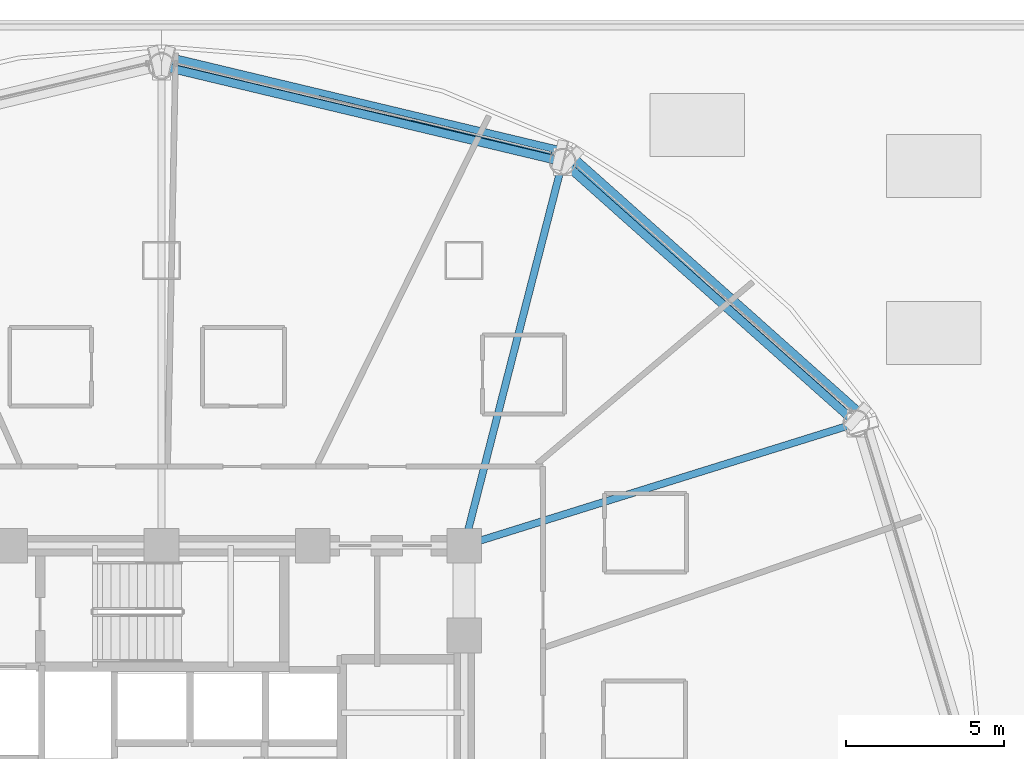
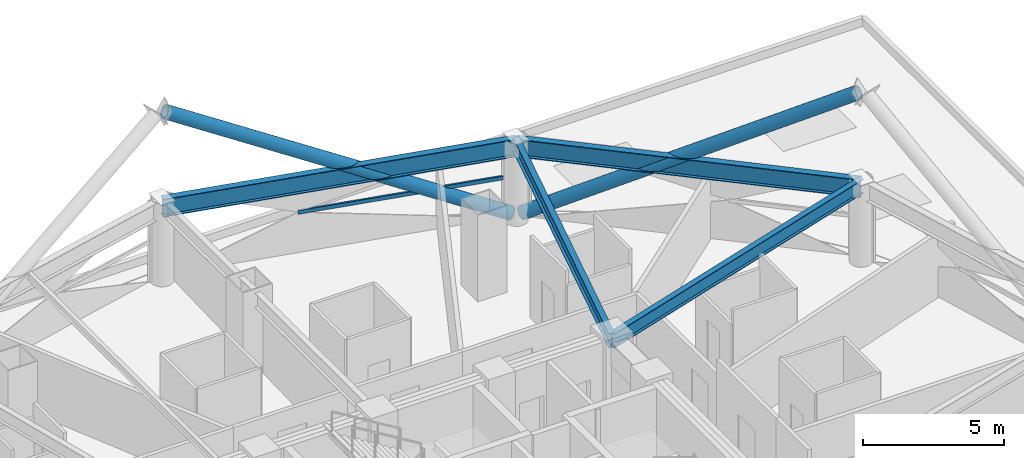
# One storey, part 15 of 27: 4 beams, 3 members, 1 element without a shape of its own.
"""IFC4 building model written with IfcOpenShell, lengths in metres."""

from ifc_helpers import new_model, si_unit, direction, frame, origin, origin_2d, place, context, subcontext, project, spatial, hollow_rectangle, hollow_circle, i_section, extrude, material, layer, layer_set, material_profile, profile_set, type_object, element, aggregate, save


model = new_model("IFC4")

# Units and contexts
model_context = context("Model", 3, precision=1e-05, world=origin(), true_north=direction((0.0, 1.0)))
body_context = subcontext(model_context, "Body", "Model", "MODEL_VIEW")
ifc_project = project(units=[si_unit("LENGTHUNIT", "METRE"), si_unit("AREAUNIT", "SQUARE_METRE"), si_unit("VOLUMEUNIT", "CUBIC_METRE"), si_unit("PLANEANGLEUNIT", "RADIAN"), si_unit("MASSUNIT", "GRAM", prefix="KILO")], contexts=[model_context])

# Site, building, storey
site_placement = place(None, origin())
site = spatial("IfcSite", under=ifc_project, at=site_placement, CompositionType="ELEMENT")
building_placement = place(site_placement, origin())
building = spatial("IfcBuilding", under=site, at=building_placement, Name="Vantalir Tower", CompositionType="ELEMENT")
storey_placement = place(building_placement, frame((0.0, 0.0, 27.0)))
storey = spatial("IfcBuildingStorey", under=building, at=storey_placement, Name="L05", CompositionType="ELEMENT", Elevation=27.0)

# Beams
ifc_material_1 = material(Name="Steel S355", Category="steel")
ifc_material_profile_1 = material_profile(ifc_material_1, i_section(OverallWidth=0.22998046875, OverallDepth=0.616943359375, WebThickness=0.01318359375, FlangeThickness=0.022216796875, at=origin_2d()), Name="Steel S355")
ifc_profile_set_1 = profile_set([ifc_material_profile_1], Name="Steel S355")
beam_type_1 = type_object("IfcBeamType", Name="BM-RB-610x229", PredefinedType="BEAM", material=ifc_profile_set_1)
beam_1_placement = place(storey_placement, frame((53.5400390625, 36.33203125, 3.261962890625), z_axis=(-0.954597910708, -0.297897346198, 0.0), x_axis=(0.297897346198, -0.954597910708, 0.0)))
element("IfcBeam", 1, at=beam_1_placement, inside=storey, type_object=beam_type_1, Name="L05 Radial Floor Beam 02", PredefinedType="BEAM", context=body_context, shape_type="SweptSolid", body=[
    extrude(i_section(OverallWidth=0.22998046875, OverallDepth=0.616943359375, WebThickness=0.01318359375, FlangeThickness=0.022216796875, at=origin_2d()), origin(), (0.0, 0.0, 1.0), 13.031494140625),
])
beam_2_placement = place(storey_placement, frame((44.22509765625, 44.6279296875, 3.261962890625), z_axis=(-0.248557552091, -0.968617129365, 0.0), x_axis=(0.968617129365, -0.248557552091, 0.0)))
element("IfcBeam", 2, at=beam_2_placement, inside=storey, type_object=beam_type_1, Name="L05 Radial Floor Beam 03", PredefinedType="BEAM", context=body_context, shape_type="SweptSolid", body=[
    extrude(i_section(OverallWidth=0.22998046875, OverallDepth=0.616943359375, WebThickness=0.01318359375, FlangeThickness=0.022216796875, at=origin_2d()), origin(), (0.0, 0.0, 1.0), 12.572509765625),
])
ifc_material_2 = material(Name="Steel S460", Category="steel")
ifc_material_profile_2 = material_profile(ifc_material_2, i_section(OverallWidth=0.26806640625, OverallDepth=0.77001953125, WebThickness=0.015625, FlangeThickness=0.025390625, at=origin_2d()), Name="Steel S460")
ifc_profile_set_2 = profile_set([ifc_material_profile_2], Name="Steel S460")
beam_type_2 = type_object("IfcBeamType", Name="BM-RG-762x267", PredefinedType="USERDEFINED", material=ifc_profile_set_2)
beam_3_placement = place(storey_placement, frame((53.5400390625, 36.33203125, 3.18505859375), z_axis=(-0.746774014303, 0.665077868795, 0.0), x_axis=(-0.665077868795, -0.746774014303, 0.0)))
element("IfcBeam", 3, at=beam_3_placement, inside=storey, type_object=beam_type_2, Name="L05 Circumferential Ring Girder 02", ObjectType="GIRDER", PredefinedType="USERDEFINED", context=body_context, shape_type="SweptSolid", body=[
    extrude(i_section(OverallWidth=0.26806640625, OverallDepth=0.77001953125, WebThickness=0.015625, FlangeThickness=0.025390625, at=origin_2d()), origin(), (0.0, 0.0, 1.0), 12.4736328125),
])
beam_4_placement = place(storey_placement, frame((44.22509765625, 44.6279296875, 3.18505859375), z_axis=(-0.972696777879, 0.232079680935, 0.0), x_axis=(-0.232079680935, -0.972696777879, 0.0)))
element("IfcBeam", 4, at=beam_4_placement, inside=storey, type_object=beam_type_2, Name="L05 Circumferential Ring Girder 03", ObjectType="GIRDER", PredefinedType="USERDEFINED", context=body_context, shape_type="SweptSolid", body=[
    extrude(i_section(OverallWidth=0.26806640625, OverallDepth=0.77001953125, WebThickness=0.015625, FlangeThickness=0.025390625, at=origin_2d()), origin(), (0.0, 0.0, 1.0), 13.082275390625),
])

# Curtain wall, member
ifc_material_3 = material(Name="Champagne-silver PVDF aluminium and double-silver Low-E glass", Category="aluminium")
ifc_layer = layer(ifc_material_3, 0.18994140625)
ifc_layer_set = layer_set([ifc_layer], Name="Champagne-silver PVDF aluminium and double-silver Low-E glass")
curtain_wall_type = type_object("IfcCurtainWallType", Name="CW-DIAMOND-Z1", PredefinedType="USERDEFINED", material=ifc_layer_set)
curtain_wall_placement = place(storey_placement, origin())
curtain_wall = element("IfcCurtainWall", 5, at=curtain_wall_placement, inside=storey, type_object=curtain_wall_type, Name="L05 Quilted Pyramid-Diamond Curtain Wall S03", ObjectType="UNITISED CURTAIN WALL", PredefinedType="USERDEFINED")
ifc_material_4 = material(Name="Champagne-silver PVDF aluminium 6063-T6", Category="aluminium")
ifc_material_profile_3 = material_profile(ifc_material_4, hollow_rectangle(XDim=0.074951171875, YDim=0.159912109375, WallThickness=0.00390625, at=origin_2d()), Name="Champagne-silver PVDF aluminium 6063-T6")
ifc_profile_set_3 = profile_set([ifc_material_profile_3], Name="Champagne-silver PVDF aluminium 6063-T6")
member_type_1 = type_object("IfcMemberType", Name="CWT-160x75", PredefinedType="USERDEFINED", material=ifc_profile_set_3)
member_1_placement = place(storey_placement, frame((43.863037109375, 44.90087890625, 1.784912109375), z_axis=(-0.971880452812, 0.235474808506, 0.0), x_axis=(-0.235474808506, -0.971880452812, 0.0)))
member_1 = element("IfcMember", 6, at=member_1_placement, type_object=member_type_1, Name="CW-L05-S03 Pyramid Fold Ridge Transom", ObjectType="TRANSOM", PredefinedType="USERDEFINED", context=body_context, shape_type="SweptSolid", body=[
    extrude(hollow_rectangle(XDim=0.074951171875, YDim=0.159912109375, WallThickness=0.00390625, at=origin_2d()), origin(), (0.0, 0.0, 1.0), 7.58935546875),
])
aggregate(curtain_wall, [member_1])

# Members
ifc_material_profile_4 = material_profile(ifc_material_2, hollow_circle(Radius=0.27001953125, WallThickness=0.044921875, at=origin_2d()), Name="Steel S460")
ifc_profile_set_4 = profile_set([ifc_material_profile_4], Name="Steel S460")
member_type_2 = type_object("IfcMemberType", Name="MEM-DB-540x45", PredefinedType="BRACE", material=ifc_profile_set_4)
member_2_placement = place(storey_placement, frame((44.132080078125, 44.8369140625, 0.18505859375), z_axis=(-0.854681826413, 0.204133655505, 0.477334710963), x_axis=(-0.232307554099, -0.972642380481, 0.0)))
element("IfcMember", 7, at=member_2_placement, inside=storey, type_object=member_type_2, Name="L05 Perimeter S460 Diagrid Brace R07L", PredefinedType="BRACE", context=body_context, shape_type="SweptSolid", body=[
    extrude(hollow_circle(Radius=0.27001953125, WallThickness=0.044921875, at=origin_2d()), origin(), (0.0, 0.0, 1.0), 14.559814453125),
])
member_3_placement = place(storey_placement, frame((44.462890625, 44.6650390625, 0.18896484375), z_axis=(0.648652807467, -0.578218197544, 0.494887109748), x_axis=(0.665416140811, 0.746472611385, 0.0)))
element("IfcMember", 8, at=member_3_placement, inside=storey, type_object=member_type_2, Name="L05 Perimeter S460 Diagrid Brace R07R", PredefinedType="BRACE", context=body_context, shape_type="SweptSolid", body=[
    extrude(hollow_circle(Radius=0.27001953125, WallThickness=0.044921875, at=origin_2d()), origin(), (0.0, 0.0, 1.0), 14.02783203125),
])

save(model, "model.ifc")
